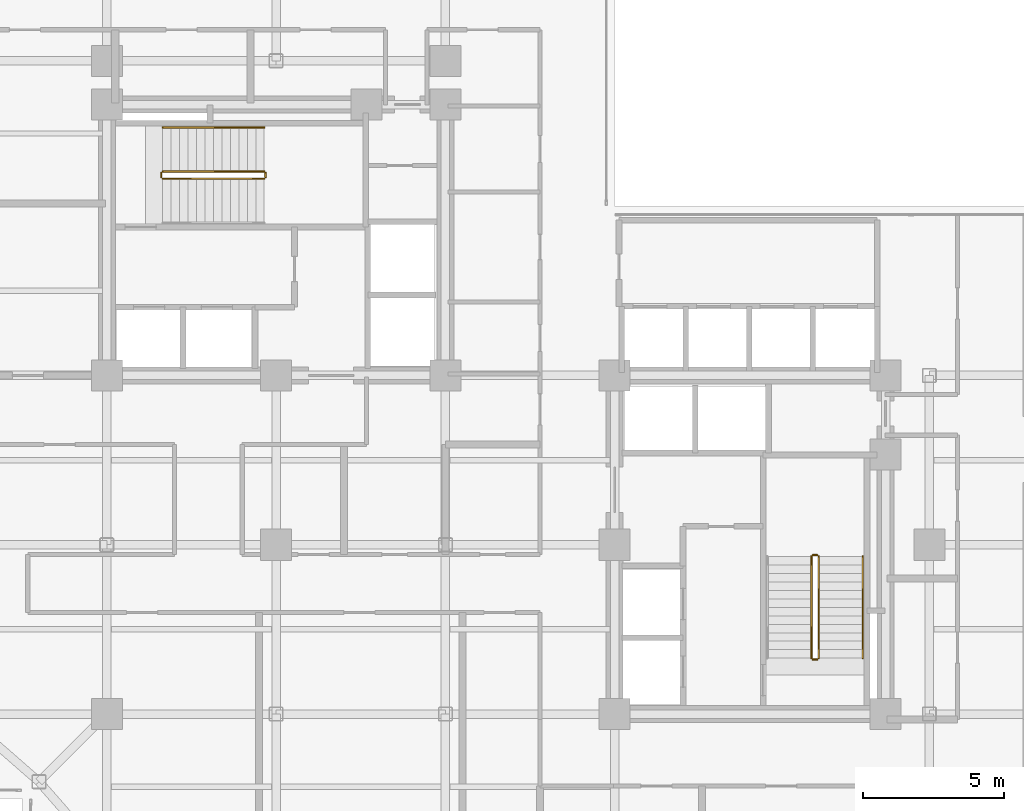
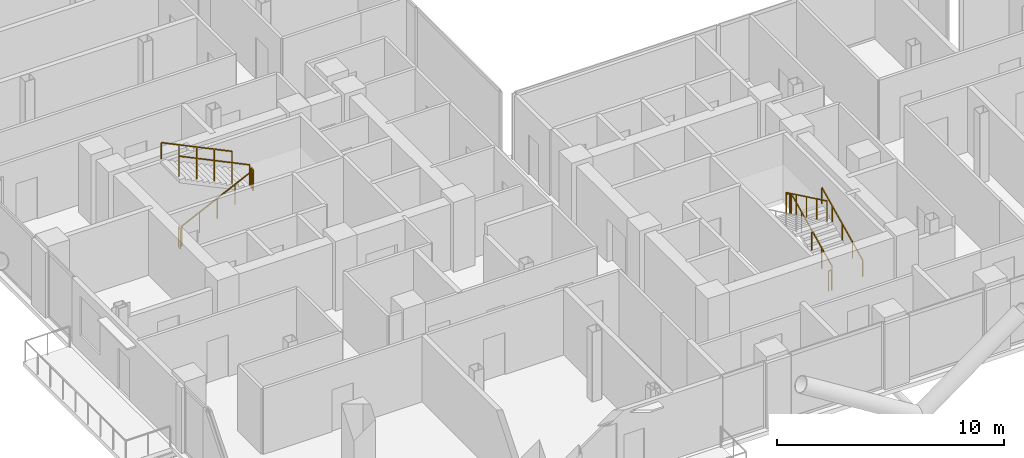
# One storey, part 24 of 24: 10 railings.
"""IFC4 building model written with IfcOpenShell, lengths in metres."""

from ifc_helpers import new_model, si_unit, direction, frame, origin, origin_2d, place, context, subcontext, project, spatial, rectangle, extrude, material, type_object, element, save


model = new_model("IFC4")

# Units and contexts
model_context = context("Model", 3, precision=1e-05, world=origin(), true_north=direction((0.0, 1.0)))
body_context = subcontext(model_context, "Body", "Model", "MODEL_VIEW")
ifc_project = project(units=[si_unit("LENGTHUNIT", "METRE"), si_unit("AREAUNIT", "SQUARE_METRE"), si_unit("VOLUMEUNIT", "CUBIC_METRE"), si_unit("PLANEANGLEUNIT", "RADIAN"), si_unit("MASSUNIT", "GRAM", prefix="KILO"), si_unit("THERMODYNAMICTEMPERATUREUNIT", "KELVIN"), si_unit("POWERUNIT", "WATT")], contexts=[model_context])

# Site, building, storey
site_placement = place(None, origin())
site = spatial("IfcSite", under=ifc_project, at=site_placement, CompositionType="ELEMENT")
building_placement = place(site_placement, origin())
building = spatial("IfcBuilding", under=site, at=building_placement, Name="Svarakhadi Broadcast Tower", CompositionType="ELEMENT")
storey_placement = place(building_placement, frame((0.0, 0.0, 126.89990234375)))
storey = spatial("IfcBuildingStorey", under=building, at=storey_placement, Name="L30", CompositionType="ELEMENT", Elevation=126.89990234375)

# Railings
ifc_material = material(Name="Anodised Bronze Aluminium AA 6063-T6", Category="aluminium")
railing_type_1 = type_object("IfcRailingType", Name="Guard_Stair_GR01", PredefinedType="GUARDRAIL", material=ifc_material)
railing_1_placement = place(storey_placement, frame((7.97998046875, 24.969970703125, 0.144287109375)))
element("IfcRailing", 1, at=railing_1_placement, inside=storey, type_object=railing_type_1, Name="L30 ST-01 stair guard 1", PredefinedType="GUARDRAIL", context=body_context, shape_type="SweptSolid", body=[
    extrude(rectangle(XDim=0.048095703125, YDim=0.048095703125, at=origin_2d()), frame((0.0, 0.0, 1.09619140625), z_axis=(0.901262522062, 0.0, 0.433273431364), x_axis=(0.0, 1.0, 0.0)), (0.0, 0.0, 1.0), 3.994384765625),
    extrude(rectangle(XDim=0.0419921875, YDim=0.0419921875, at=origin_2d()), origin(), (0.0, 0.0, 1.0), 1.072021484375),
    extrude(rectangle(XDim=0.0419921875, YDim=0.0419921875, at=origin_2d()), frame((0.89990234375, 0.0, 0.4326171875)), (0.0, 0.0, 1.0), 1.072021484375),
    extrude(rectangle(XDim=0.0419921875, YDim=0.0419921875, at=origin_2d()), frame((1.800048828125, 0.0, 0.865234375)), (0.0, 0.0, 1.0), 1.072021484375),
    extrude(rectangle(XDim=0.0419921875, YDim=0.0419921875, at=origin_2d()), frame((2.7001953125, 0.0, 1.298095703125)), (0.0, 0.0, 1.0), 1.072021484375),
    extrude(rectangle(XDim=0.0419921875, YDim=0.0419921875, at=origin_2d()), frame((3.60009765625, 0.0, 1.730712890625)), (0.0, 0.0, 1.0), 1.072021484375),
])
railing_2_placement = place(storey_placement, frame((11.6298828125, 25.02001953125, 1.875)))
element("IfcRailing", 2, at=railing_2_placement, inside=storey, type_object=railing_type_1, Name="L30 ST-01 stair guard 2", PredefinedType="GUARDRAIL", context=body_context, shape_type="SweptSolid", body=[
    extrude(rectangle(XDim=0.048095703125, YDim=0.048095703125, at=origin_2d()), frame((0.0, 0.0, 1.09619140625), z_axis=(0.0, 1.0, 0.0), x_axis=(-1.0, 0.0, 0.0)), (0.0, 0.0, 1.0), 0.159912109375),
    extrude(rectangle(XDim=0.0419921875, YDim=0.0419921875, at=origin_2d()), origin(), (0.0, 0.0, 1.0), 1.072021484375),
    extrude(rectangle(XDim=0.0419921875, YDim=0.0419921875, at=origin_2d()), frame((0.0, 0.159912109375, 0.0)), (0.0, 0.0, 1.0), 1.072021484375),
])
railing_3_placement = place(storey_placement, frame((11.580078125, 25.22998046875, 2.019287109375)))
element("IfcRailing", 3, at=railing_3_placement, inside=storey, type_object=railing_type_1, Name="L30 ST-01 stair guard 3", PredefinedType="GUARDRAIL", context=body_context, shape_type="SweptSolid", body=[
    extrude(rectangle(XDim=0.048095703125, YDim=0.048095703125, at=origin_2d()), frame((0.0, 0.0, 1.09619140625), z_axis=(-0.901262522062, 0.0, 0.433273431364), x_axis=(0.0, -1.0, 0.0)), (0.0, 0.0, 1.0), 3.994384765625),
    extrude(rectangle(XDim=0.0419921875, YDim=0.0419921875, at=origin_2d()), origin(), (0.0, 0.0, 1.0), 1.072021484375),
    extrude(rectangle(XDim=0.0419921875, YDim=0.0419921875, at=origin_2d()), frame((-0.89990234375, 0.0, 0.4326171875)), (0.0, 0.0, 1.0), 1.072021484375),
    extrude(rectangle(XDim=0.0419921875, YDim=0.0419921875, at=origin_2d()), frame((-1.800048828125, 0.0, 0.865234375)), (0.0, 0.0, 1.0), 1.072021484375),
    extrude(rectangle(XDim=0.0419921875, YDim=0.0419921875, at=origin_2d()), frame((-2.7001953125, 0.0, 1.298095703125)), (0.0, 0.0, 1.0), 1.072021484375),
    extrude(rectangle(XDim=0.0419921875, YDim=0.0419921875, at=origin_2d()), frame((-3.60009765625, 0.0, 1.730712890625)), (0.0, 0.0, 1.0), 1.072021484375),
])
railing_4_placement = place(storey_placement, frame((7.929931640625, 25.02001953125, 0.0)))
element("IfcRailing", 4, at=railing_4_placement, inside=storey, type_object=railing_type_1, Name="L30 ST-01 stair guard 4", PredefinedType="GUARDRAIL", context=body_context, shape_type="SweptSolid", body=[
    extrude(rectangle(XDim=0.048095703125, YDim=0.048095703125, at=origin_2d()), frame((0.0, 0.0, 1.09619140625), z_axis=(0.0, 1.0, 0.0), x_axis=(-1.0, 0.0, 0.0)), (0.0, 0.0, 1.0), 0.159912109375),
    extrude(rectangle(XDim=0.0419921875, YDim=0.0419921875, at=origin_2d()), origin(), (0.0, 0.0, 1.0), 1.072021484375),
    extrude(rectangle(XDim=0.0419921875, YDim=0.0419921875, at=origin_2d()), frame((0.0, 0.159912109375, 0.0)), (0.0, 0.0, 1.0), 1.072021484375),
])
railing_5_placement = place(storey_placement, frame((31.22998046875, 7.97998046875, 0.144287109375)))
element("IfcRailing", 5, at=railing_5_placement, inside=storey, type_object=railing_type_1, Name="L30 ST-02 stair guard 1", PredefinedType="GUARDRAIL", context=body_context, shape_type="SweptSolid", body=[
    extrude(rectangle(XDim=0.048095703125, YDim=0.048095703125, at=origin_2d()), frame((0.0, 0.0, 1.09619140625), z_axis=(0.0, 0.901262522062, 0.433273431364), x_axis=(-1.0, 0.0, 0.0)), (0.0, 0.0, 1.0), 3.994384765625),
    extrude(rectangle(XDim=0.0419921875, YDim=0.0419921875, at=origin_2d()), origin(), (0.0, 0.0, 1.0), 1.072021484375),
    extrude(rectangle(XDim=0.0419921875, YDim=0.0419921875, at=origin_2d()), frame((0.0, 0.89990234375, 0.4326171875)), (0.0, 0.0, 1.0), 1.072021484375),
    extrude(rectangle(XDim=0.0419921875, YDim=0.0419921875, at=origin_2d()), frame((0.0, 1.800048828125, 0.865234375)), (0.0, 0.0, 1.0), 1.072021484375),
    extrude(rectangle(XDim=0.0419921875, YDim=0.0419921875, at=origin_2d()), frame((0.0, 2.7001953125, 1.298095703125)), (0.0, 0.0, 1.0), 1.072021484375),
    extrude(rectangle(XDim=0.0419921875, YDim=0.0419921875, at=origin_2d()), frame((0.0, 3.60009765625, 1.730712890625)), (0.0, 0.0, 1.0), 1.072021484375),
])
railing_6_placement = place(storey_placement, frame((31.179931640625, 11.6298828125, 1.875)))
element("IfcRailing", 6, at=railing_6_placement, inside=storey, type_object=railing_type_1, Name="L30 ST-02 stair guard 2", PredefinedType="GUARDRAIL", context=body_context, shape_type="SweptSolid", body=[
    extrude(rectangle(XDim=0.048095703125, YDim=0.048095703125, at=origin_2d()), frame((0.0, 0.0, 1.09619140625), z_axis=(-1.0, 0.0, 0.0), x_axis=(0.0, -1.0, 0.0)), (0.0, 0.0, 1.0), 0.159912109375),
    extrude(rectangle(XDim=0.0419921875, YDim=0.0419921875, at=origin_2d()), origin(), (0.0, 0.0, 1.0), 1.072021484375),
    extrude(rectangle(XDim=0.0419921875, YDim=0.0419921875, at=origin_2d()), frame((-0.159912109375, 0.0, 0.0)), (0.0, 0.0, 1.0), 1.072021484375),
])
railing_7_placement = place(storey_placement, frame((30.969970703125, 11.580078125, 2.019287109375)))
element("IfcRailing", 7, at=railing_7_placement, inside=storey, type_object=railing_type_1, Name="L30 ST-02 stair guard 3", PredefinedType="GUARDRAIL", context=body_context, shape_type="SweptSolid", body=[
    extrude(rectangle(XDim=0.048095703125, YDim=0.048095703125, at=origin_2d()), frame((0.0, 0.0, 1.09619140625), z_axis=(0.0, -0.901262522062, 0.433273431364), x_axis=(1.0, 0.0, 0.0)), (0.0, 0.0, 1.0), 3.994384765625),
    extrude(rectangle(XDim=0.0419921875, YDim=0.0419921875, at=origin_2d()), origin(), (0.0, 0.0, 1.0), 1.072021484375),
    extrude(rectangle(XDim=0.0419921875, YDim=0.0419921875, at=origin_2d()), frame((0.0, -0.89990234375, 0.4326171875)), (0.0, 0.0, 1.0), 1.072021484375),
    extrude(rectangle(XDim=0.0419921875, YDim=0.0419921875, at=origin_2d()), frame((0.0, -1.800048828125, 0.865234375)), (0.0, 0.0, 1.0), 1.072021484375),
    extrude(rectangle(XDim=0.0419921875, YDim=0.0419921875, at=origin_2d()), frame((0.0, -2.7001953125, 1.298095703125)), (0.0, 0.0, 1.0), 1.072021484375),
    extrude(rectangle(XDim=0.0419921875, YDim=0.0419921875, at=origin_2d()), frame((0.0, -3.60009765625, 1.730712890625)), (0.0, 0.0, 1.0), 1.072021484375),
])
railing_8_placement = place(storey_placement, frame((31.179931640625, 7.929931640625, 0.0)))
element("IfcRailing", 8, at=railing_8_placement, inside=storey, type_object=railing_type_1, Name="L30 ST-02 stair guard 4", PredefinedType="GUARDRAIL", context=body_context, shape_type="SweptSolid", body=[
    extrude(rectangle(XDim=0.048095703125, YDim=0.048095703125, at=origin_2d()), frame((0.0, 0.0, 1.09619140625), z_axis=(-1.0, 0.0, 0.0), x_axis=(0.0, -1.0, 0.0)), (0.0, 0.0, 1.0), 0.159912109375),
    extrude(rectangle(XDim=0.0419921875, YDim=0.0419921875, at=origin_2d()), origin(), (0.0, 0.0, 1.0), 1.072021484375),
    extrude(rectangle(XDim=0.0419921875, YDim=0.0419921875, at=origin_2d()), frame((-0.159912109375, 0.0, 0.0)), (0.0, 0.0, 1.0), 1.072021484375),
])
railing_type_2 = type_object("IfcRailingType", Name="Handrail_Stair_HR01", PredefinedType="HANDRAIL", material=ifc_material)
railing_9_placement = place(storey_placement, frame((11.580078125, 26.7900390625, 2.019287109375)))
element("IfcRailing", 9, at=railing_9_placement, inside=storey, type_object=railing_type_2, Name="L30 ST-01 stair handrail 2", PredefinedType="HANDRAIL", context=body_context, shape_type="SweptSolid", body=[
    extrude(rectangle(XDim=0.048095703125, YDim=0.048095703125, at=origin_2d()), frame((0.0, 0.0, 0.8759765625), z_axis=(-0.901262522062, 0.0, 0.433273431364), x_axis=(0.0, -1.0, 0.0)), (0.0, 0.0, 1.0), 3.994384765625),
    extrude(rectangle(XDim=0.0419921875, YDim=0.0419921875, at=origin_2d()), origin(), (0.0, 0.0, 1.0), 0.851806640625),
    extrude(rectangle(XDim=0.0419921875, YDim=0.0419921875, at=origin_2d()), frame((-0.89990234375, 0.0, 0.4326171875)), (0.0, 0.0, 1.0), 0.851806640625),
    extrude(rectangle(XDim=0.0419921875, YDim=0.0419921875, at=origin_2d()), frame((-1.800048828125, 0.0, 0.865234375)), (0.0, 0.0, 1.0), 0.851806640625),
    extrude(rectangle(XDim=0.0419921875, YDim=0.0419921875, at=origin_2d()), frame((-2.7001953125, 0.0, 1.298095703125)), (0.0, 0.0, 1.0), 0.851806640625),
    extrude(rectangle(XDim=0.0419921875, YDim=0.0419921875, at=origin_2d()), frame((-3.60009765625, 0.0, 1.730712890625)), (0.0, 0.0, 1.0), 0.851806640625),
])
railing_10_placement = place(storey_placement, frame((32.7900390625, 7.97998046875, 0.144287109375)))
element("IfcRailing", 10, at=railing_10_placement, inside=storey, type_object=railing_type_2, Name="L30 ST-02 stair handrail 1", PredefinedType="HANDRAIL", context=body_context, shape_type="SweptSolid", body=[
    extrude(rectangle(XDim=0.048095703125, YDim=0.048095703125, at=origin_2d()), frame((0.0, 0.0, 0.8759765625), z_axis=(0.0, 0.901262522062, 0.433273431364), x_axis=(-1.0, 0.0, 0.0)), (0.0, 0.0, 1.0), 3.994384765625),
    extrude(rectangle(XDim=0.0419921875, YDim=0.0419921875, at=origin_2d()), origin(), (0.0, 0.0, 1.0), 0.851806640625),
    extrude(rectangle(XDim=0.0419921875, YDim=0.0419921875, at=origin_2d()), frame((0.0, 0.89990234375, 0.4326171875)), (0.0, 0.0, 1.0), 0.851806640625),
    extrude(rectangle(XDim=0.0419921875, YDim=0.0419921875, at=origin_2d()), frame((0.0, 1.800048828125, 0.865234375)), (0.0, 0.0, 1.0), 0.851806640625),
    extrude(rectangle(XDim=0.0419921875, YDim=0.0419921875, at=origin_2d()), frame((0.0, 2.7001953125, 1.298095703125)), (0.0, 0.0, 1.0), 0.851806640625),
    extrude(rectangle(XDim=0.0419921875, YDim=0.0419921875, at=origin_2d()), frame((0.0, 3.60009765625, 1.730712890625)), (0.0, 0.0, 1.0), 0.851806640625),
])

save(model, "model.ifc")
